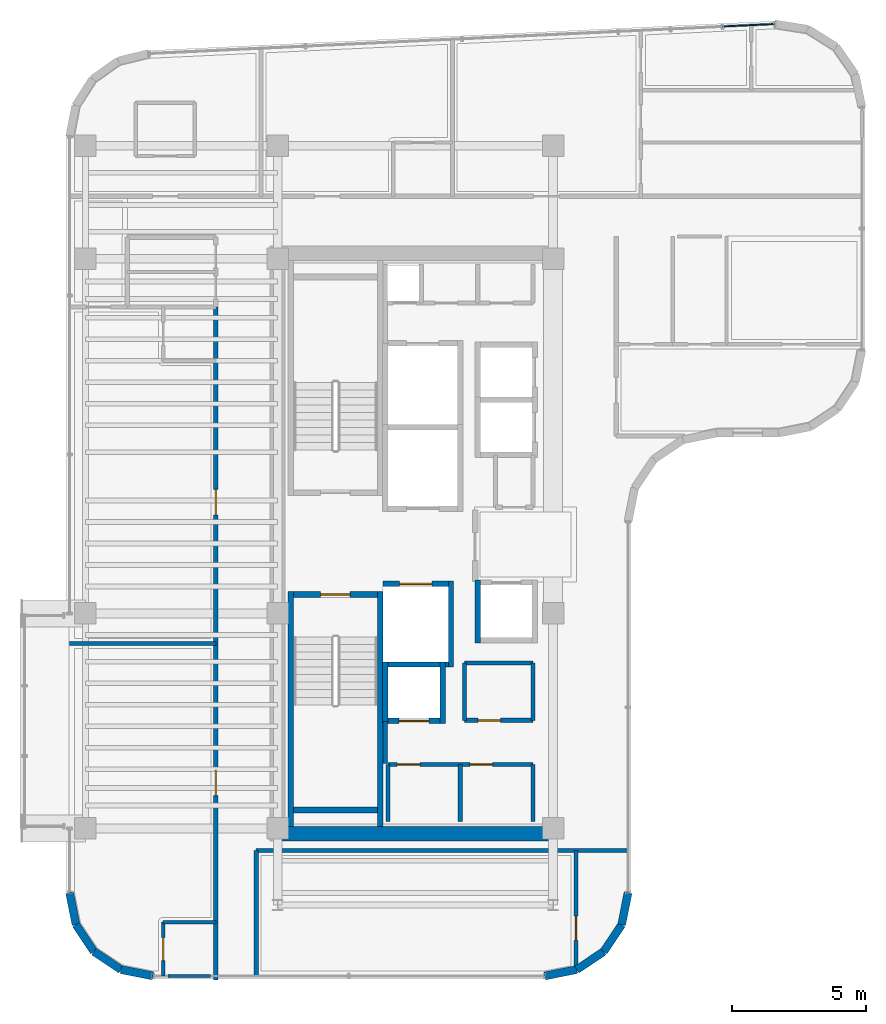
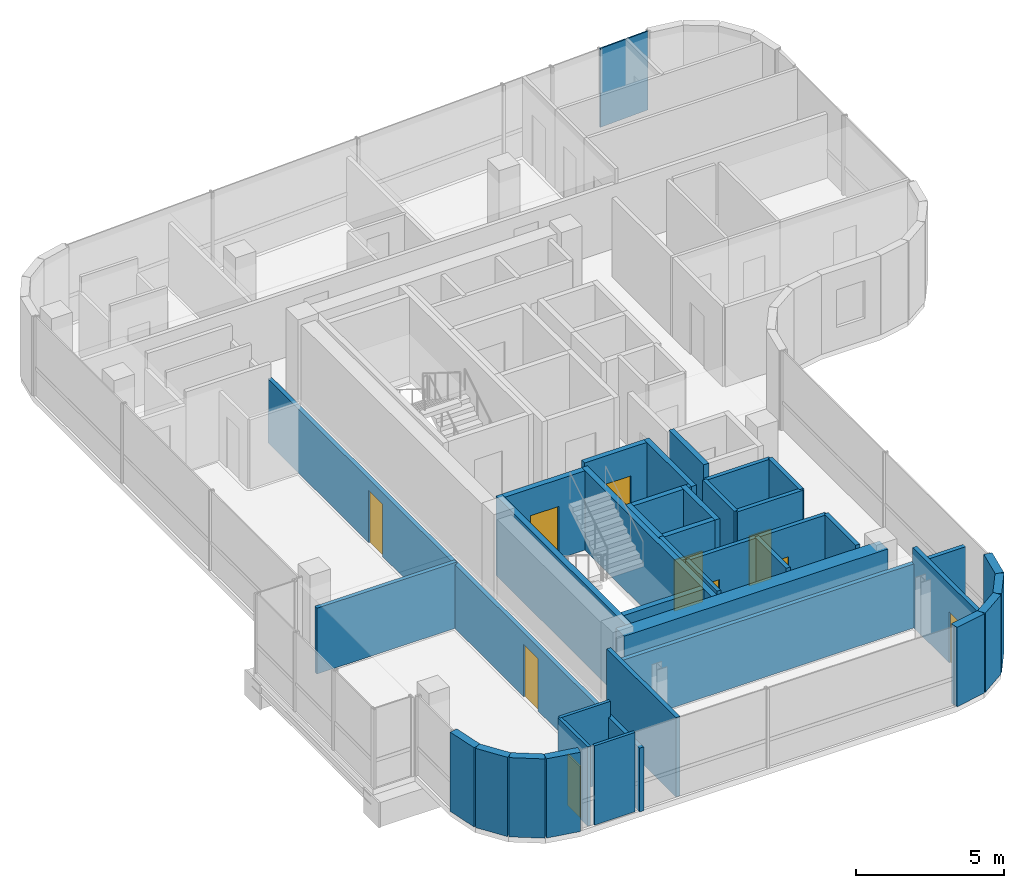
# One storey, part 14 of 19: 37 walls, 10 doors, 1 plate, 10 openings, 1 element without a shape of its own.
"""IFC4 building model written with IfcOpenShell, lengths in metres."""

from ifc_helpers import new_model, si_unit, direction, frame, frame_2d, origin, origin_2d, place, context, subcontext, project, spatial, rectangle, extrude, source, transform, mapped, material, layer, layer_set, type_object, element, fill, aggregate, save


model = new_model("IFC4")

# Units and contexts
model_context = context("Model", 3, precision=1e-05, world=origin(), true_north=direction((0.0, 1.0)))
body_context = subcontext(model_context, "Body", "Model", "MODEL_VIEW")
ifc_project = project(units=[si_unit("LENGTHUNIT", "METRE"), si_unit("AREAUNIT", "SQUARE_METRE"), si_unit("VOLUMEUNIT", "CUBIC_METRE"), si_unit("PLANEANGLEUNIT", "RADIAN"), si_unit("MASSUNIT", "GRAM", prefix="KILO")], contexts=[model_context])

# Site, building, storey
site_placement = place(None, origin())
site = spatial("IfcSite", under=ifc_project, at=site_placement, CompositionType="ELEMENT")
building_placement = place(site_placement, origin())
building = spatial("IfcBuilding", under=site, at=building_placement, Name="Valdorenza Pilgrim Sanctuary Tower", CompositionType="ELEMENT")
storey_placement = place(building_placement, frame((0.0, 0.0, 266.0)))
storey = spatial("IfcBuildingStorey", under=building, at=storey_placement, Name="L69", CompositionType="ELEMENT", Elevation=266.0)

# Curtain wall, plate
ifc_material_1 = material(Name="Curtain-wall IGU glazing", Category="glass")
curtain_wall_type = type_object("IfcCurtainWallType", Name="CW-SYS-02", PredefinedType="NOTDEFINED", material=ifc_material_1)
curtain_wall_placement = place(storey_placement, origin())
curtain_wall = element("IfcCurtainWall", 1, at=curtain_wall_placement, inside=storey, type_object=curtain_wall_type, Name="L69 Curtain Wall CW-L69-1-6", PredefinedType="NOTDEFINED")
ifc_material_2 = material(Name="Ceramic-fritted low-E IGU glazing", Category="glass")
ifc_layer_1 = layer(ifc_material_2, 0.035888671875, Name="Ceramic-fritted low-E IGU glazing")
ifc_layer_set_1 = layer_set([ifc_layer_1], Name="Ceramic-fritted low-E IGU glazing")
plate_type = type_object("IfcPlateType", Name="CW-GLZ-IGU", PredefinedType="USERDEFINED", material=ifc_layer_set_1)
shared_shape = source(origin(), body_context, "Body", "SweptSolid", [
    extrude(rectangle(XDim=1.915283203125, YDim=0.050048828125, at=origin_2d()), origin(), (0.0, 0.0, 1.0), 3.239990234375),
])
plate_placement = place(storey_placement, frame((-5.13330078125, 19.28564453125, 0.009765625), z_axis=(0.0, 0.0, 1.0), x_axis=(0.998890696972, 0.047089016785, 0.0)))
plate = element("IfcPlate", 2, at=plate_placement, type_object=plate_type, Name="CW-L69-1-6 Full-Height Facade Panel 4 Sub 3", ObjectType="GLAZING", PredefinedType="USERDEFINED", context=body_context, shape_type="MappedRepresentation", body=[
    mapped(shared_shape, transform((0.0, 0.0, 0.0), x_axis=(1.0, 0.0, 0.0), y_axis=(0.0, 1.0, 0.0), z_axis=(0.0, 0.0, 1.0), scale=1.0)),
])
aggregate(curtain_wall, [plate])

# Wall
ifc_material_3 = material(Name="Acoustic twin-stud gypsum partition", Category="gypsum")
ifc_layer_2 = layer(ifc_material_3, 0.159912109375, Name="Acoustic twin-stud gypsum partition")
ifc_layer_set_2 = layer_set([ifc_layer_2], Name="Acoustic twin-stud gypsum partition")
wall_type_1 = type_object("IfcWallType", Name="WAL-COR-160", PredefinedType="PARTITIONING", material=ifc_layer_set_2)
wall_1_placement = place(storey_placement, frame((-18.64990234375, -8.179931640625, 0.0), z_axis=(0.0, 0.0, 1.0), x_axis=(0.0, 1.0, 0.0)))
element("IfcWall", 3, at=wall_1_placement, inside=storey, type_object=wall_type_1, Name="L69 Core A South Lift Hall West Wall", PredefinedType="PARTITIONING", context=body_context, shape_type="SweptSolid", body=[
    extrude(rectangle(XDim=1.559814453125, YDim=0.159912109375, at=frame_2d((0.77978515625, 0.0))), origin(), (0.0, 0.0, 1.0), 3.260009765625),
])

# Wall, openings, doors
wall_2_placement = place(storey_placement, frame((-18.550048828125, -8.219970703125, 0.0), z_axis=(0.0, 0.0, 1.0), x_axis=(1.0, 0.0, 0.0)))
wall_2 = element("IfcWall", 4, at=wall_2_placement, inside=storey, type_object=wall_type_1, Name="L69 Freed Shaft 1 North Wall", PredefinedType="PARTITIONING", context=body_context, shape_type="SweptSolid", body=[
    extrude(rectangle(XDim=5.400146484375, YDim=0.159912109375, at=frame_2d((2.7001953125, 0.0))), origin(), (0.0, 0.0, 1.0), 3.260009765625),
])
opening_1_placement = place(wall_2_placement, frame((0.35009765625, 0.0, 0.0)))
opening_1 = element("IfcOpeningElement", 5, at=opening_1_placement, cuts=wall_2, Name="Opening DR-RS1", PredefinedType="OPENING", context=body_context, shape_type="SweptSolid", body=[
    extrude(rectangle(XDim=0.85009765625, YDim=2.050048828125, at=frame_2d((0.425048828125, 1.02490234375))), frame((0.0, 0.0947265625, 0.0), z_axis=(0.0, -1.0, 0.0), x_axis=(1.0, 0.0, 0.0)), (0.0, 0.0, 1.0), 0.189697265625),
])
opening_2_placement = place(wall_2_placement, frame((3.050048828125, 0.0, 0.0)))
opening_2 = element("IfcOpeningElement", 6, at=opening_2_placement, cuts=wall_2, Name="Opening DR-RS1", PredefinedType="OPENING", context=body_context, shape_type="SweptSolid", body=[
    extrude(rectangle(XDim=0.85009765625, YDim=2.050048828125, at=frame_2d((0.425048828125, 1.02490234375))), frame((0.0, 0.0947265625, 0.0), z_axis=(0.0, -1.0, 0.0), x_axis=(1.0, 0.0, 0.0)), (0.0, 0.0, 1.0), 0.189697265625),
])
ifc_material_4 = material(Name="Painted galvanized steel", Category="steel")
door_type_1 = type_object("IfcDoorType", Name="DR-RSR-850", OperationType="NOTDEFINED", PredefinedType="DOOR", material=ifc_material_4)
door_1_placement = place(opening_1_placement, origin())
door_1 = element("IfcDoor", 7, at=door_1_placement, inside=storey, type_object=door_type_1, Name="L69 Linen Store Door", OperationType="SINGLE_SWING_RIGHT", OverallHeight=2.050048828125, OverallWidth=0.85009765625, PredefinedType="DOOR", context=body_context, shape_type="SweptSolid", body=[
    extrude(rectangle(XDim=0.85009765625, YDim=2.050048828125, at=frame_2d((0.425048828125, 1.02490234375))), frame((0.0, 0.02490234375, 0.0), z_axis=(0.0, -1.0, 0.0), x_axis=(1.0, 0.0, 0.0)), (0.0, 0.0, 1.0), 0.050048828125),
])
fill(opening_1, door_1)
door_2_placement = place(opening_2_placement, origin())
door_2 = element("IfcDoor", 8, at=door_2_placement, inside=storey, type_object=door_type_1, Name="L69 Cot Store Door", OperationType="SINGLE_SWING_LEFT", OverallHeight=2.050048828125, OverallWidth=0.85009765625, PredefinedType="DOOR", context=body_context, shape_type="SweptSolid", body=[
    extrude(rectangle(XDim=0.85009765625, YDim=2.050048828125, at=frame_2d((0.425048828125, 1.02490234375))), frame((0.0, 0.02490234375, 0.0), z_axis=(0.0, -1.0, 0.0), x_axis=(1.0, 0.0, 0.0)), (0.0, 0.0, 1.0), 0.050048828125),
])
fill(opening_2, door_2)

# Walls
for number, where, z_axis, x_axis, name in (
    (9, (-13.14990234375, -10.35009765625, 0.0), (0.0, 0.0, 1.0), (0.0, 1.0, 0.0), "L69 Freed Shaft 1 East Wall"),
    (10, (-15.85009765625, -10.35009765625, 0.0), (0.0, 0.0, 1.0), (0.0, 1.0, 0.0), "L69 Freed Shaft 1 Split Wall"),
):
    element("IfcWall", number, at=place(storey_placement, frame(where, z_axis=z_axis, x_axis=x_axis)), inside=storey, type_object=wall_type_1, Name=name, PredefinedType="PARTITIONING", context=body_context, shape_type="SweptSolid", body=[
        extrude(rectangle(XDim=2.130126953125, YDim=0.159912109375, at=frame_2d((1.06494140625, 0.0))), origin(), (0.0, 0.0, 1.0), 3.260009765625),
    ])

# Wall, opening, door
wall_3_placement = place(storey_placement, frame((-15.699951171875, -6.580078125, 0.0), z_axis=(0.0, 0.0, 1.0), x_axis=(1.0, 0.0, 0.0)))
wall_3 = element("IfcWall", 11, at=wall_3_placement, inside=storey, type_object=wall_type_1, Name="L69 Freed Shaft 2 South Wall", PredefinedType="PARTITIONING", context=body_context, shape_type="SweptSolid", body=[
    extrude(rectangle(XDim=2.550048828125, YDim=0.159912109375, at=frame_2d((1.27490234375, 0.0))), origin(), (0.0, 0.0, 1.0), 3.260009765625),
])
opening_3_placement = place(wall_3_placement, frame((0.5, 0.0, 0.0)))
opening_3 = element("IfcOpeningElement", 12, at=opening_3_placement, cuts=wall_3, Name="Opening DR-RS1", PredefinedType="OPENING", context=body_context, shape_type="SweptSolid", body=[
    extrude(rectangle(XDim=0.85009765625, YDim=2.050048828125, at=frame_2d((0.425048828125, 1.02490234375))), frame((0.0, 0.0947265625, 0.0), z_axis=(0.0, -1.0, 0.0), x_axis=(1.0, 0.0, 0.0)), (0.0, 0.0, 1.0), 0.189697265625),
])
door_3_placement = place(opening_3_placement, origin())
door_3 = element("IfcDoor", 13, at=door_3_placement, inside=storey, type_object=door_type_1, Name="L69 Guest Tea Pantry Door", OperationType="SINGLE_SWING_RIGHT", OverallHeight=2.050048828125, OverallWidth=0.85009765625, PredefinedType="DOOR", context=body_context, shape_type="SweptSolid", body=[
    extrude(rectangle(XDim=0.85009765625, YDim=2.050048828125, at=frame_2d((0.425048828125, 1.02490234375))), frame((0.0, 0.02490234375, 0.0), z_axis=(0.0, -1.0, 0.0), x_axis=(1.0, 0.0, 0.0)), (0.0, 0.0, 1.0), 0.050048828125),
])
fill(opening_3, door_3)

# Walls
wall_4_placement = place(storey_placement, frame((-13.14990234375, -6.580078125, 0.0), z_axis=(0.0, 0.0, 1.0), x_axis=(0.0, 1.0, 0.0)))
element("IfcWall", 14, at=wall_4_placement, inside=storey, type_object=wall_type_1, Name="L69 Freed Shaft 2 East Wall", PredefinedType="PARTITIONING", context=body_context, shape_type="SweptSolid", body=[
    extrude(rectangle(XDim=2.130126953125, YDim=0.159912109375, at=frame_2d((1.06494140625, 0.0))), origin(), (0.0, 0.0, 1.0), 3.260009765625),
])
wall_5_placement = place(storey_placement, frame((-23.449951171875, -11.419921875, 0.0), z_axis=(0.0, 0.0, 1.0), x_axis=(1.0, 0.0, 0.0)))
element("IfcWall", 15, at=wall_5_placement, inside=storey, type_object=wall_type_1, Name="L69 South-East Pocket North Wall", PredefinedType="PARTITIONING", context=body_context, shape_type="SweptSolid", body=[
    extrude(rectangle(XDim=13.83984375, YDim=0.159912109375, at=frame_2d((6.919921875, 0.0))), origin(), (0.0, 0.0, 1.0), 2.634033203125),
])
wall_6_placement = place(storey_placement, frame((-23.449951171875, -16.090087890625, 0.0), z_axis=(0.0, 0.0, 1.0), x_axis=(0.0, 1.0, 0.0)))
element("IfcWall", 16, at=wall_6_placement, inside=storey, type_object=wall_type_1, Name="L69 South-East Pocket West Wall", PredefinedType="PARTITIONING", context=body_context, shape_type="SweptSolid", body=[
    extrude(rectangle(XDim=4.670166015625, YDim=0.159912109375, at=frame_2d((2.3349609375, 0.0))), origin(), (0.0, 0.0, 1.0), 3.260009765625),
])

# Wall, openings, doors
wall_7_placement = place(storey_placement, frame((-24.949951171875, -16.239990234375, 0.0), z_axis=(0.0, 0.0, 1.0), x_axis=(0.0, 1.0, 0.0)))
wall_7 = element("IfcWall", 17, at=wall_7_placement, inside=storey, type_object=wall_type_1, Name="L69 West Wing Corridor Wall", PredefinedType="PARTITIONING", context=body_context, shape_type="SweptSolid", body=[
    extrude(rectangle(XDim=25.0400390625, YDim=0.159912109375, at=frame_2d((12.52001953125, 0.0))), origin(), (0.0, 0.0, 1.0), 2.623046875),
])
opening_4_placement = place(wall_7_placement, frame((6.860107421875, 0.0, 0.0)))
opening_4 = element("IfcOpeningElement", 18, at=opening_4_placement, cuts=wall_7, Name="Opening DR-UN1", PredefinedType="OPENING", context=body_context, shape_type="SweptSolid", body=[
    extrude(rectangle(XDim=0.949951171875, YDim=2.14990234375, at=frame_2d((0.47509765625, 1.074951171875))), frame((0.0, 0.0947265625, 0.0), z_axis=(0.0, -1.0, 0.0), x_axis=(1.0, 0.0, 0.0)), (0.0, 0.0, 1.0), 0.189697265625),
])
opening_5_placement = place(wall_7_placement, frame((17.304931640625, 0.0, 0.0)))
opening_5 = element("IfcOpeningElement", 19, at=opening_5_placement, cuts=wall_7, Name="Opening DR-UN1", PredefinedType="OPENING", context=body_context, shape_type="SweptSolid", body=[
    extrude(rectangle(XDim=0.949951171875, YDim=2.14990234375, at=frame_2d((0.47509765625, 1.074951171875))), frame((0.0, 0.0947265625, 0.0), z_axis=(0.0, -1.0, 0.0), x_axis=(1.0, 0.0, 0.0)), (0.0, 0.0, 1.0), 0.189697265625),
])
ifc_material_5 = material(Name="Solid-core European oak timber", Category="wood")
door_type_2 = type_object("IfcDoorType", Name="DR-UNIT-950", OperationType="NOTDEFINED", PredefinedType="DOOR", material=ifc_material_5)
door_4_placement = place(opening_4_placement, frame((0.949951171875, 0.0, 0.0), z_axis=(0.0, 0.0, 1.0), x_axis=(-1.0, 0.0, 0.0)))
door_4 = element("IfcDoor", 20, at=door_4_placement, inside=storey, type_object=door_type_2, Name="L69 Pilgrim Family Guest Room L69-W1 Entrance Door", OperationType="SINGLE_SWING_LEFT", OverallHeight=2.14990234375, OverallWidth=0.949951171875, PredefinedType="DOOR", context=body_context, shape_type="SweptSolid", body=[
    extrude(rectangle(XDim=0.949951171875, YDim=2.14990234375, at=frame_2d((0.47509765625, 1.074951171875))), frame((0.0, 0.02490234375, 0.0), z_axis=(0.0, -1.0, 0.0), x_axis=(1.0, 0.0, 0.0)), (0.0, 0.0, 1.0), 0.050048828125),
])
fill(opening_4, door_4)
door_5_placement = place(opening_5_placement, frame((0.949951171875, 0.0, 0.0), z_axis=(0.0, 0.0, 1.0), x_axis=(-1.0, 0.0, 0.0)))
door_5 = element("IfcDoor", 21, at=door_5_placement, inside=storey, type_object=door_type_2, Name="L69 Pilgrim Family Guest Room L69-W2 Entrance Door", OperationType="SINGLE_SWING_LEFT", OverallHeight=2.14990234375, OverallWidth=0.949951171875, PredefinedType="DOOR", context=body_context, shape_type="SweptSolid", body=[
    extrude(rectangle(XDim=0.949951171875, YDim=2.14990234375, at=frame_2d((0.47509765625, 1.074951171875))), frame((0.0, 0.02490234375, 0.0), z_axis=(0.0, -1.0, 0.0), x_axis=(1.0, 0.0, 0.0)), (0.0, 0.0, 1.0), 0.050048828125),
])
fill(opening_5, door_5)

# Wall, opening, door
wall_8_placement = place(storey_placement, frame((-11.550048828125, -15.7236328125, 0.0), z_axis=(0.0, 0.0, 1.0), x_axis=(0.0, 1.0, 0.0)))
wall_8 = element("IfcWall", 22, at=wall_8_placement, inside=storey, type_object=wall_type_1, Name="L69 South-East Concourse Wall", PredefinedType="PARTITIONING", context=body_context, shape_type="SweptSolid", body=[
    extrude(rectangle(XDim=4.3037109375, YDim=0.159912109375, at=frame_2d((2.15185546875, 0.0))), origin(), (0.0, 0.0, 1.0), 3.260009765625),
])
opening_6_placement = place(wall_8_placement, frame((0.9599609375, 0.0, 0.0)))
opening_6 = element("IfcOpeningElement", 23, at=opening_6_placement, cuts=wall_8, Name="Opening DR-RM1", PredefinedType="OPENING", context=body_context, shape_type="SweptSolid", body=[
    extrude(rectangle(XDim=0.89990234375, YDim=2.10009765625, at=frame_2d((0.449951171875, 1.050048828125))), frame((0.0, 0.0947265625, 0.0), z_axis=(0.0, -1.0, 0.0), x_axis=(1.0, 0.0, 0.0)), (0.0, 0.0, 1.0), 0.189697265625),
])
door_type_3 = type_object("IfcDoorType", Name="DR-ROOM-900", OperationType="NOTDEFINED", PredefinedType="DOOR", material=ifc_material_5)
door_6_placement = place(opening_6_placement, frame((0.89990234375, 0.0, 0.0), z_axis=(0.0, 0.0, 1.0), x_axis=(-1.0, 0.0, 0.0)))
door_6 = element("IfcDoor", 24, at=door_6_placement, inside=storey, type_object=door_type_3, Name="L69 South Contemplation Lounge L69 Door", OperationType="SINGLE_SWING_LEFT", OverallHeight=2.10009765625, OverallWidth=0.89990234375, PredefinedType="DOOR", context=body_context, shape_type="SweptSolid", body=[
    extrude(rectangle(XDim=0.89990234375, YDim=2.10009765625, at=frame_2d((0.449951171875, 1.050048828125))), frame((0.0, 0.02490234375, 0.0), z_axis=(0.0, -1.0, 0.0), x_axis=(1.0, 0.0, 0.0)), (0.0, 0.0, 1.0), 0.050048828125),
])
fill(opening_6, door_6)

# Walls
ifc_material_6 = material(Name="Concrete C50/60", Category="concrete")
ifc_layer_3 = layer(ifc_material_6, 0.550048828125, Name="Concrete C50/60")
ifc_layer_set_3 = layer_set([ifc_layer_3], Name="Concrete C50/60")
wall_type_2 = type_object("IfcWallType", Name="WAL-COR-550", PredefinedType="SHEAR", material=ifc_layer_set_3)
wall_9_placement = place(storey_placement, frame((-22.64990234375, -10.800048828125, 0.0), z_axis=(0.0, 0.0, 1.0), x_axis=(1.0, 0.0, 0.0)))
element("IfcWall", 25, at=wall_9_placement, inside=storey, type_object=wall_type_2, Name="L69 Split Core A Shear Wall S", PredefinedType="SHEAR", context=body_context, shape_type="SweptSolid", body=[
    extrude(rectangle(XDim=10.25, YDim=0.550048828125, at=frame_2d((5.125, 0.0))), origin(), (0.0, 0.0, 1.0), 3.260009765625),
])
ifc_material_7 = material(Name="Honed travertine limestone", Category="masonry")
ifc_layer_4 = layer(ifc_material_7, 0.300048828125, Name="Honed travertine limestone")
ifc_layer_set_4 = layer_set([ifc_layer_4], Name="Honed travertine limestone")
wall_type_3 = type_object("IfcWallType", Name="WAL-EXT-300", PredefinedType="SOLIDWALL", material=ifc_layer_set_4)
wall_10_placement = place(storey_placement, frame((-9.610107421875, -12.9892578125, 0.0), z_axis=(0.0, 0.0, 1.0), x_axis=(-0.194996050505, -0.980804027463, 0.0)))
element("IfcWall", 26, at=wall_10_placement, inside=storey, type_object=wall_type_3, Name="L69 Rounded Wind-Corner Stone Pier 22", PredefinedType="SOLIDWALL", context=body_context, shape_type="SweptSolid", body=[
    extrude(rectangle(XDim=1.2158203125, YDim=0.300048828125, at=frame_2d((0.60791015625, 0.0))), origin(), (0.0, 0.0, 1.0), 3.260009765625),
])
for number, where, z_axis, x_axis, name in (
    (27, (-9.84716796875, -14.181640625, 0.0), (0.0, 0.0, 1.0), (-0.555635100982, -0.831426265255, 0.0), "L69 Rounded Wind-Corner Stone Pier 23"),
    (28, (-10.5166015625, -15.183349609375, 0.0), (0.0, 0.0, 1.0), (-0.831426265255, -0.555635100982, 0.0), "L69 Rounded Wind-Corner Stone Pier 24"),
):
    element("IfcWall", number, at=place(storey_placement, frame(where, z_axis=z_axis, x_axis=x_axis)), inside=storey, type_object=wall_type_3, Name=name, PredefinedType="SOLIDWALL", context=body_context, shape_type="SweptSolid", body=[
        extrude(rectangle(XDim=1.204833984375, YDim=0.300048828125, at=frame_2d((0.6025390625, 0.0))), origin(), (0.0, 0.0, 1.0), 3.260009765625),
    ])
for number, where, z_axis, x_axis, name in (
    (29, (-11.518310546875, -15.852783203125, 0.0), (0.0, 0.0, 1.0), (-0.980765602568, -0.195189223115, 0.0), "L69 Rounded Wind-Corner Stone Pier 25"),
    (30, (-27.289306640625, -16.090087890625, 0.0), (0.0, 0.0, 1.0), (-0.980765602568, 0.195189223115, 0.0), "L69 Rounded Wind-Corner Stone Pier 27"),
):
    element("IfcWall", number, at=place(storey_placement, frame(where, z_axis=z_axis, x_axis=x_axis)), inside=storey, type_object=wall_type_3, Name=name, PredefinedType="SOLIDWALL", context=body_context, shape_type="SweptSolid", body=[
        extrude(rectangle(XDim=1.2158203125, YDim=0.300048828125, at=frame_2d((0.60791015625, 0.0))), origin(), (0.0, 0.0, 1.0), 3.260009765625),
    ])
for number, where, z_axis, x_axis, name in (
    (31, (-28.481689453125, -15.852783203125, 0.0), (0.0, 0.0, 1.0), (-0.831426265255, 0.555635100982, 0.0), "L69 Rounded Wind-Corner Stone Pier 28"),
    (32, (-29.4833984375, -15.183349609375, 0.0), (0.0, 0.0, 1.0), (-0.555635100982, 0.831426265255, 0.0), "L69 Rounded Wind-Corner Stone Pier 29"),
):
    element("IfcWall", number, at=place(storey_placement, frame(where, z_axis=z_axis, x_axis=x_axis)), inside=storey, type_object=wall_type_3, Name=name, PredefinedType="SOLIDWALL", context=body_context, shape_type="SweptSolid", body=[
        extrude(rectangle(XDim=1.204833984375, YDim=0.300048828125, at=frame_2d((0.6025390625, 0.0))), origin(), (0.0, 0.0, 1.0), 3.260009765625),
    ])
wall_11_placement = place(storey_placement, frame((-30.15283203125, -14.181640625, 0.0), z_axis=(0.0, 0.0, 1.0), x_axis=(-0.194996050505, 0.980804027463, 0.0)))
element("IfcWall", 33, at=wall_11_placement, inside=storey, type_object=wall_type_3, Name="L69 Rounded Wind-Corner Stone Pier 30", PredefinedType="SOLIDWALL", context=body_context, shape_type="SweptSolid", body=[
    extrude(rectangle(XDim=1.2158203125, YDim=0.300048828125, at=frame_2d((0.60791015625, 0.0))), origin(), (0.0, 0.0, 1.0), 3.260009765625),
])
ifc_material_8 = material(Name="Moisture-resistant gypsum partition", Category="gypsum")
ifc_layer_5 = layer(ifc_material_8, 0.1201171875, Name="Moisture-resistant gypsum partition")
ifc_layer_set_5 = layer_set([ifc_layer_5], Name="Moisture-resistant gypsum partition")
wall_type_4 = type_object("IfcWallType", Name="WAL-INT-120", PredefinedType="PARTITIONING", material=ifc_layer_set_5)
wall_12_placement = place(storey_placement, frame((-26.907958984375, -14.090087890625, 0.0), z_axis=(0.0, 0.0, 1.0), x_axis=(1.0, 0.0, 0.0)))
element("IfcWall", 34, at=wall_12_placement, inside=storey, type_object=wall_type_4, Name="L69 Pilgrim Family Guest Room L69-W1 En-suite North Wall", PredefinedType="PARTITIONING", context=body_context, shape_type="SweptSolid", body=[
    extrude(rectangle(XDim=1.9580078125, YDim=0.1201171875, at=frame_2d((0.97900390625, 0.0))), origin(), (0.0, 0.0, 1.0), 3.260009765625),
])

# Wall, opening, door
wall_13_placement = place(storey_placement, frame((-26.907958984375, -16.090087890625, 0.0), z_axis=(0.0, 0.0, 1.0), x_axis=(0.0, 1.0, 0.0)))
wall_13 = element("IfcWall", 35, at=wall_13_placement, inside=storey, type_object=wall_type_4, Name="L69 Pilgrim Family Guest Room L69-W1 En-suite Door Wall", PredefinedType="PARTITIONING", context=body_context, shape_type="SweptSolid", body=[
    extrude(rectangle(XDim=2.0, YDim=0.1201171875, at=frame_2d((1.0, 0.0))), origin(), (0.0, 0.0, 1.0), 3.260009765625),
])
opening_7_placement = place(wall_13_placement, frame((0.574951171875, 0.0, 0.0)))
opening_7 = element("IfcOpeningElement", 36, at=opening_7_placement, cuts=wall_13, Name="Opening DR-WC1", PredefinedType="OPENING", context=body_context, shape_type="SweptSolid", body=[
    extrude(rectangle(XDim=0.85009765625, YDim=2.10009765625, at=frame_2d((0.425048828125, 1.050048828125))), frame((0.0, 0.074951171875, 0.0), z_axis=(0.0, -1.0, 0.0), x_axis=(1.0, 0.0, 0.0)), (0.0, 0.0, 1.0), 0.14990234375),
])
ifc_material_9 = material(Name="Moisture-resistant lacquered timber", Category="wood")
door_type_4 = type_object("IfcDoorType", Name="DR-BATH-850", OperationType="NOTDEFINED", PredefinedType="DOOR", material=ifc_material_9)
door_7_placement = place(opening_7_placement, origin())
door_7 = element("IfcDoor", 37, at=door_7_placement, inside=storey, type_object=door_type_4, Name="L69 Pilgrim Family Guest Room L69-W1 En-suite Bathroom Door", OperationType="SINGLE_SWING_RIGHT", OverallHeight=2.10009765625, OverallWidth=0.85009765625, PredefinedType="DOOR", context=body_context, shape_type="SweptSolid", body=[
    extrude(rectangle(XDim=0.85009765625, YDim=2.10009765625, at=frame_2d((0.425048828125, 1.050048828125))), frame((0.0, 0.02490234375, 0.0), z_axis=(0.0, -1.0, 0.0), x_axis=(1.0, 0.0, 0.0)), (0.0, 0.0, 1.0), 0.050048828125),
])
fill(opening_7, door_7)

# Walls
wall_14_placement = place(storey_placement, frame((-26.72802734375, -16.090087890625, 0.0), z_axis=(0.0, 0.0, 1.0), x_axis=(1.0, 0.0, 0.0)))
element("IfcWall", 38, at=wall_14_placement, inside=storey, type_object=wall_type_4, Name="L69 WW-FL1-ENS Enclosure Wall S", PredefinedType="PARTITIONING", context=body_context, shape_type="SweptSolid", body=[
    extrude(rectangle(XDim=1.578125, YDim=0.1201171875, at=frame_2d((0.7890625, 0.0))), origin(), (0.0, 0.0, 1.0), 3.260009765625),
])
ifc_material_10 = material(Name="Autoclaved aerated concrete blockwork", Category="masonry")
ifc_layer_6 = layer(ifc_material_10, 0.199951171875, Name="Autoclaved aerated concrete blockwork")
ifc_layer_set_6 = layer_set([ifc_layer_6], Name="Autoclaved aerated concrete blockwork")
wall_type_5 = type_object("IfcWallType", Name="WAL-SHF-200", PredefinedType="MOVABLE", material=ifc_layer_set_6)
wall_15_placement = place(storey_placement, frame((-16.199951171875, -4.60009765625, 0.0), z_axis=(0.0, 0.0, 1.0), x_axis=(0.0, 1.0, 0.0)))
element("IfcWall", 39, at=wall_15_placement, inside=storey, type_object=wall_type_5, Name="L69 Lift FFL-02 Hoistway Wall East", PredefinedType="MOVABLE", context=body_context, shape_type="SweptSolid", body=[
    extrude(rectangle(XDim=3.2001953125, YDim=0.199951171875, at=frame_2d((1.60009765625, 0.0))), origin(), (0.0, 0.0, 1.0), 3.260009765625),
])
wall_16_placement = place(storey_placement, frame((-18.719970703125, -4.5, 0.0), z_axis=(0.0, 0.0, 1.0), x_axis=(1.0, 0.0, 0.0)))
element("IfcWall", 40, at=wall_16_placement, inside=storey, type_object=wall_type_5, Name="L69 Lift FFL-02 Hoistway Wall South", PredefinedType="MOVABLE", context=body_context, shape_type="SweptSolid", body=[
    extrude(rectangle(XDim=2.419921875, YDim=0.199951171875, at=frame_2d((1.2099609375, 0.0))), origin(), (0.0, 0.0, 1.0), 3.260009765625),
])

# Wall, opening, door
wall_17_placement = place(storey_placement, frame((-18.719970703125, -1.5, 0.0), z_axis=(0.0, 0.0, 1.0), x_axis=(1.0, 0.0, 0.0)))
wall_17 = element("IfcWall", 41, at=wall_17_placement, inside=storey, type_object=wall_type_5, Name="L69 Lift FFL-02 Hoistway Wall North", PredefinedType="MOVABLE", context=body_context, shape_type="SweptSolid", body=[
    extrude(rectangle(XDim=2.419921875, YDim=0.199951171875, at=frame_2d((1.2099609375, 0.0))), origin(), (0.0, 0.0, 1.0), 3.260009765625),
])
opening_8_placement = place(wall_17_placement, frame((0.610107421875, 0.0, 0.0)))
opening_8 = element("IfcOpeningElement", 42, at=opening_8_placement, cuts=wall_17, Name="Opening LD-02", PredefinedType="OPENING", context=body_context, shape_type="SweptSolid", body=[
    extrude(rectangle(XDim=1.199951171875, YDim=2.10009765625, at=frame_2d((0.60009765625, 1.050048828125))), frame((0.0, 0.11474609375, 0.0), z_axis=(0.0, -1.0, 0.0), x_axis=(1.0, 0.0, 0.0)), (0.0, 0.0, 1.0), 0.229736328125),
])
ifc_material_11 = material(Name="Brushed stainless steel Grade 316", Category="steel")
door_type_5 = type_object("IfcDoorType", Name="DR-LFT-1200", OperationType="DOUBLE_DOOR_SLIDING", PredefinedType="DOOR", material=ifc_material_11)
door_8_placement = place(opening_8_placement, origin())
door_8 = element("IfcDoor", 43, at=door_8_placement, inside=storey, type_object=door_type_5, Name="L69 Lift FFL-02 Sliding Landing Door", OperationType="DOUBLE_DOOR_SLIDING", OverallHeight=2.10009765625, OverallWidth=1.199951171875, PredefinedType="DOOR", context=body_context, shape_type="SweptSolid", body=[
    extrude(rectangle(XDim=1.199951171875, YDim=2.10009765625, at=frame_2d((0.60009765625, 1.050048828125))), frame((0.0, 0.02490234375, 0.0), z_axis=(0.0, -1.0, 0.0), x_axis=(1.0, 0.0, 0.0)), (0.0, 0.0, 1.0), 0.050048828125),
])
fill(opening_8, door_8)

# Walls
for number, where, z_axis, x_axis, name in (
    (44, (-18.64990234375, -6.699951171875, 0.0), (0.0, 0.0, 1.0), (0.0, 1.0, 0.0), "L69 Lift PL-11 Hoistway Wall West"),
    (45, (-16.5, -6.699951171875, 0.0), (0.0, 0.0, 1.0), (0.0, 1.0, 0.0), "L69 Lift PL-11 Hoistway Wall East"),
):
    element("IfcWall", number, at=place(storey_placement, frame(where, z_axis=z_axis, x_axis=x_axis)), inside=storey, type_object=wall_type_5, Name=name, PredefinedType="MOVABLE", context=body_context, shape_type="SweptSolid", body=[
        extrude(rectangle(XDim=2.300048828125, YDim=0.199951171875, at=frame_2d((1.14990234375, 0.0))), origin(), (0.0, 0.0, 1.0), 3.260009765625),
    ])

# Wall, opening, door
wall_18_placement = place(storey_placement, frame((-18.550048828125, -6.60009765625, 0.0), z_axis=(0.0, 0.0, 1.0), x_axis=(1.0, 0.0, 0.0)))
wall_18 = element("IfcWall", 46, at=wall_18_placement, inside=storey, type_object=wall_type_5, Name="L69 Lift PL-11 Hoistway Wall South", PredefinedType="MOVABLE", context=body_context, shape_type="SweptSolid", body=[
    extrude(rectangle(XDim=1.949951171875, YDim=0.199951171875, at=frame_2d((0.97509765625, 0.0))), origin(), (0.0, 0.0, 1.0), 3.260009765625),
])
opening_9_placement = place(wall_18_placement, frame((0.425048828125, 0.0, 0.0)))
opening_9 = element("IfcOpeningElement", 47, at=opening_9_placement, cuts=wall_18, Name="Opening LD-01", PredefinedType="OPENING", context=body_context, shape_type="SweptSolid", body=[
    extrude(rectangle(XDim=1.10009765625, YDim=2.10009765625, at=frame_2d((0.550048828125, 1.050048828125))), frame((0.0, 0.11474609375, 0.0), z_axis=(0.0, -1.0, 0.0), x_axis=(1.0, 0.0, 0.0)), (0.0, 0.0, 1.0), 0.229736328125),
])
door_type_6 = type_object("IfcDoorType", Name="DR-LFT-1100", OperationType="DOUBLE_DOOR_SLIDING", PredefinedType="DOOR", material=ifc_material_11)
door_9_placement = place(opening_9_placement, origin())
door_9 = element("IfcDoor", 48, at=door_9_placement, inside=storey, type_object=door_type_6, Name="L69 Lift PL-11 Sliding Landing Door", OperationType="DOUBLE_DOOR_SLIDING", OverallHeight=2.10009765625, OverallWidth=1.10009765625, PredefinedType="DOOR", context=body_context, shape_type="SweptSolid", body=[
    extrude(rectangle(XDim=1.10009765625, YDim=2.10009765625, at=frame_2d((0.550048828125, 1.050048828125))), frame((0.0, 0.02490234375, 0.0), z_axis=(0.0, -1.0, 0.0), x_axis=(1.0, 0.0, 0.0)), (0.0, 0.0, 1.0), 0.050048828125),
])
fill(opening_9, door_9)

# Walls
wall_19_placement = place(storey_placement, frame((-15.199951171875, -3.699951171875, 0.0), z_axis=(0.0, 0.0, 1.0), x_axis=(0.0, 1.0, 0.0)))
element("IfcWall", 49, at=wall_19_placement, inside=storey, type_object=wall_type_5, Name="L69 Lift PL-12 Hoistway Wall West", PredefinedType="MOVABLE", context=body_context, shape_type="SweptSolid", body=[
    extrude(rectangle(XDim=2.349853515625, YDim=0.199951171875, at=frame_2d((1.1748046875, 0.0))), origin(), (0.0, 0.0, 1.0), 3.260009765625),
])
ifc_material_12 = material(Name="Concrete C40/50", Category="concrete")
ifc_layer_7 = layer(ifc_material_12, 0.219970703125, Name="Concrete C40/50")
ifc_layer_set_7 = layer_set([ifc_layer_7], Name="Concrete C40/50")
wall_type_6 = type_object("IfcWallType", Name="WAL-STR-SHF-220", PredefinedType="SHEAR", material=ifc_layer_set_7)
for number, where, z_axis, x_axis, name in (
    (50, (-22.159912109375, -10.52490234375, 0.0), (0.0, 0.0, 1.0), (0.0, 1.0, 0.0), "L69 ST-A2 Structural Stairwell Wall W"),
    (51, (-18.830078125, -10.52490234375, 0.0), (0.0, 0.0, 1.0), (0.0, 1.0, 0.0), "L69 ST-A2 Structural Stairwell Wall E"),
):
    element("IfcWall", number, at=place(storey_placement, frame(where, z_axis=z_axis, x_axis=x_axis)), inside=storey, type_object=wall_type_6, Name=name, PredefinedType="SHEAR", context=body_context, shape_type="SweptSolid", body=[
        extrude(rectangle(XDim=8.744873046875, YDim=0.219970703125, at=frame_2d((4.37255859375, 0.0))), origin(), (0.0, 0.0, 1.0), 3.260009765625),
    ])
wall_20_placement = place(storey_placement, frame((-22.050048828125, -9.909912109375, 0.0), z_axis=(0.0, 0.0, 1.0), x_axis=(1.0, 0.0, 0.0)))
element("IfcWall", 52, at=wall_20_placement, inside=storey, type_object=wall_type_6, Name="L69 ST-A2 Structural Stairwell Wall S", PredefinedType="SHEAR", context=body_context, shape_type="SweptSolid", body=[
    extrude(rectangle(XDim=3.110107421875, YDim=0.219970703125, at=frame_2d((1.55517578125, 0.0))), origin(), (0.0, 0.0, 1.0), 3.260009765625),
])

# Wall, opening, door
wall_21_placement = place(storey_placement, frame((-22.050048828125, -1.889892578125, 0.0), z_axis=(0.0, 0.0, 1.0), x_axis=(1.0, 0.0, 0.0)))
wall_21 = element("IfcWall", 53, at=wall_21_placement, inside=storey, type_object=wall_type_6, Name="L69 ST-A2 Structural Stairwell Wall N", PredefinedType="SHEAR", context=body_context, shape_type="SweptSolid", body=[
    extrude(rectangle(XDim=3.110107421875, YDim=0.219970703125, at=frame_2d((1.55517578125, 0.0))), origin(), (0.0, 0.0, 1.0), 3.260009765625),
])
opening_10_placement = place(wall_21_placement, frame((1.0, 0.0, 0.0)))
opening_10 = element("IfcOpeningElement", 54, at=opening_10_placement, cuts=wall_21, Name="Opening DR-ST1", PredefinedType="OPENING", context=body_context, shape_type="SweptSolid", body=[
    extrude(rectangle(XDim=1.10009765625, YDim=2.14990234375, at=frame_2d((0.550048828125, 1.074951171875))), frame((0.0, 0.125, 0.0), z_axis=(0.0, -1.0, 0.0), x_axis=(1.0, 0.0, 0.0)), (0.0, 0.0, 1.0), 0.249755859375),
])
door_type_7 = type_object("IfcDoorType", Name="DR-STAIR-1100", OperationType="NOTDEFINED", PredefinedType="DOOR", material=ifc_material_4)
door_10_placement = place(opening_10_placement, origin())
door_10 = element("IfcDoor", 55, at=door_10_placement, inside=storey, type_object=door_type_7, Name="L69 Exit Stair ST-A2 Door", OperationType="SINGLE_SWING_RIGHT", OverallHeight=2.14990234375, OverallWidth=1.10009765625, PredefinedType="DOOR", context=body_context, shape_type="SweptSolid", body=[
    extrude(rectangle(XDim=1.10009765625, YDim=2.14990234375, at=frame_2d((0.550048828125, 1.074951171875))), frame((0.0, 0.02490234375, 0.0), z_axis=(0.0, -1.0, 0.0), x_axis=(1.0, 0.0, 0.0)), (0.0, 0.0, 1.0), 0.050048828125),
])
fill(opening_10, door_10)

# Walls
ifc_layer_8 = layer(ifc_material_3, 0.14990234375, Name="Acoustic twin-stud gypsum partition")
ifc_layer_set_8 = layer_set([ifc_layer_8], Name="Acoustic twin-stud gypsum partition")
wall_type_7 = type_object("IfcWallType", Name="WAL-UNT-150", PredefinedType="PARTITIONING", material=ifc_layer_set_8)
for number, where, z_axis, x_axis, name in (
    (56, (-18.550048828125, -10.35009765625, 0.0), (0.0, 0.0, 1.0), (0.0, 1.0, 0.0), "L69 Freed Shaft 1 West Wall"),
    (57, (-15.699951171875, -6.580078125, 0.0), (0.0, 0.0, 1.0), (0.0, 1.0, 0.0), "L69 Freed Shaft 2 West Wall"),
):
    element("IfcWall", number, at=place(storey_placement, frame(where, z_axis=z_axis, x_axis=x_axis)), inside=storey, type_object=wall_type_7, Name=name, PredefinedType="PARTITIONING", context=body_context, shape_type="SweptSolid", body=[
        extrude(rectangle(XDim=2.130126953125, YDim=0.14990234375, at=frame_2d((1.06494140625, 0.0))), origin(), (0.0, 0.0, 1.0), 3.260009765625),
    ])
wall_22_placement = place(storey_placement, frame((-15.699951171875, -4.449951171875, 0.0), z_axis=(0.0, 0.0, 1.0), x_axis=(1.0, 0.0, 0.0)))
element("IfcWall", 58, at=wall_22_placement, inside=storey, type_object=wall_type_7, Name="L69 Freed Shaft 2 North Wall", PredefinedType="PARTITIONING", context=body_context, shape_type="SweptSolid", body=[
    extrude(rectangle(XDim=2.550048828125, YDim=0.14990234375, at=frame_2d((1.27490234375, 0.0))), origin(), (0.0, 0.0, 1.0), 3.260009765625),
])
wall_23_placement = place(storey_placement, frame((-30.389892578125, -3.719970703125, 0.0), z_axis=(0.0, 0.0, 1.0), x_axis=(1.0, 0.0, 0.0)))
element("IfcWall", 59, at=wall_23_placement, inside=storey, type_object=wall_type_7, Name="L69 West Flat Demising", PredefinedType="PARTITIONING", context=body_context, shape_type="SweptSolid", body=[
    extrude(rectangle(XDim=5.43994140625, YDim=0.14990234375, at=frame_2d((2.719970703125, 0.0))), origin(), (0.0, 0.0, 1.0), 2.7060546875),
])

save(model, "model.ifc")
